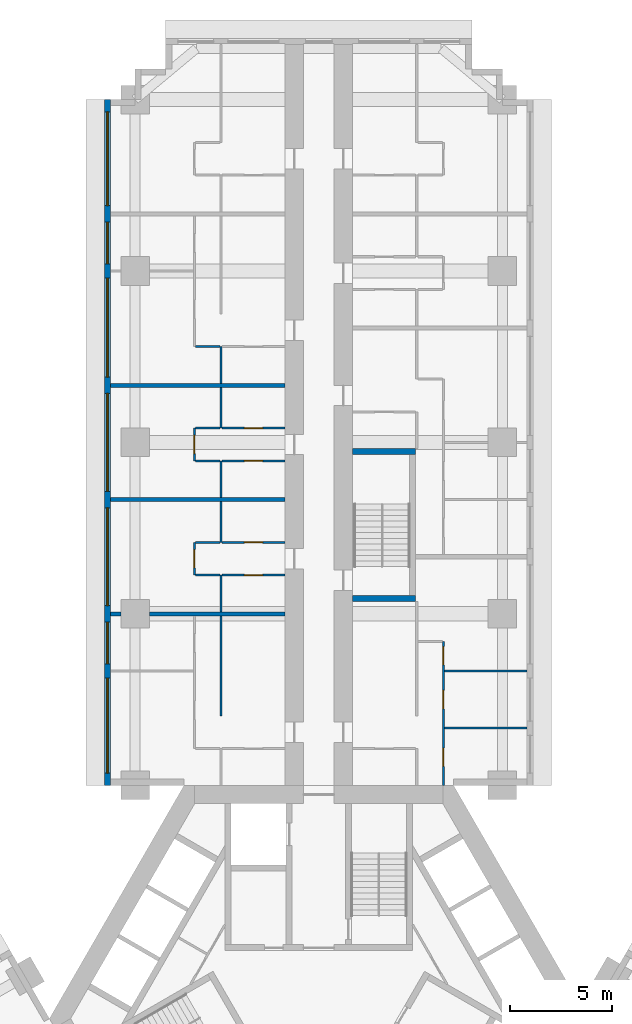
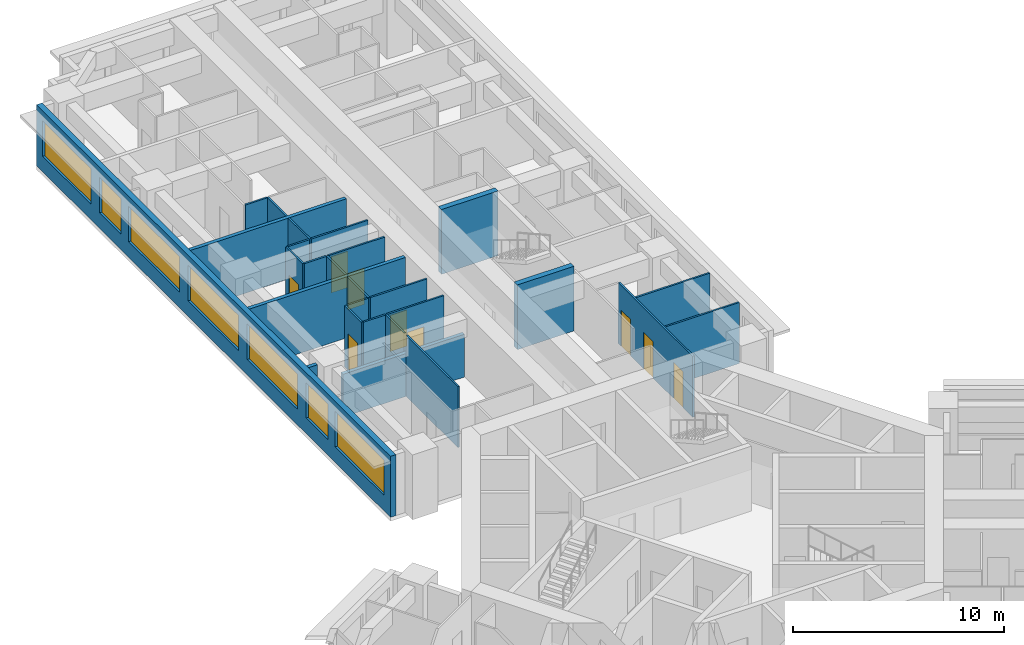
# One storey, part 9 of 16: 27 walls, 9 doors, 7 windows, 16 openings.
"""IFC4 building model written with IfcOpenShell, lengths in metres."""

from ifc_helpers import new_model, si_unit, direction, frame, frame_2d, origin, place, context, subcontext, project, spatial, rectangle, extrude, material, layer, layer_set, type_object, element, fill, save


model = new_model("IFC4")

# Units and contexts
model_context = context("Model", 3, precision=1e-05, world=origin(), true_north=direction((0.0, 1.0)))
body_context = subcontext(model_context, "Body", "Model", "MODEL_VIEW")
ifc_project = project(units=[si_unit("LENGTHUNIT", "METRE"), si_unit("AREAUNIT", "SQUARE_METRE"), si_unit("VOLUMEUNIT", "CUBIC_METRE"), si_unit("PLANEANGLEUNIT", "RADIAN"), si_unit("MASSUNIT", "GRAM", prefix="KILO")], contexts=[model_context])

# Site, building, storey
site_placement = place(None, origin())
site = spatial("IfcSite", under=ifc_project, at=site_placement, CompositionType="ELEMENT")
building_placement = place(site_placement, origin())
building = spatial("IfcBuilding", under=site, at=building_placement, Name="Impinga Residences", CompositionType="ELEMENT")
storey_placement = place(building_placement, frame((0.0, 0.0, 67.25)))
storey = spatial("IfcBuildingStorey", under=building, at=storey_placement, Name="L16", CompositionType="ELEMENT", Elevation=67.25)

# Wall, openings, windows
ifc_material_1 = material(Name="Terracotta rainscreen on blockwork", Category="masonry")
ifc_layer_1 = layer(ifc_material_1, 0.300048828125)
ifc_layer_set_1 = layer_set([ifc_layer_1], Name="EW1 external wall, terracotta rainscreen on blockwork 300")
wall_type_1 = type_object("IfcWallType", Name="EW1 external wall, terracotta rainscreen on blockwork 300", PredefinedType="SOLIDWALL", material=ifc_layer_set_1)
wall_1_placement = place(storey_placement, frame((-10.35009765625, 11.431640625, 0.0), z_axis=(0.0, 0.0, 1.0), x_axis=(0.0, 1.0, 0.0)))
wall_1 = element("IfcWall", 1, at=wall_1_placement, inside=storey, type_object=wall_type_1, Name="External wall EW1 L16", PredefinedType="SOLIDWALL", context=body_context, shape_type="SweptSolid", body=[
    extrude(rectangle(XDim=33.599853515625, YDim=0.300048828125, at=frame_2d((16.7998046875, 0.0))), origin(), (0.0, 0.0, 1.0), 3.530029296875),
])
opening_1_placement = place(wall_1_placement, frame((0.60009765625, 0.0, 0.89990234375)))
opening_1 = element("IfcOpeningElement", 2, at=opening_1_placement, cuts=wall_1, Name="Opening W10", PredefinedType="OPENING", context=body_context, shape_type="SweptSolid", body=[
    extrude(rectangle(XDim=4.64990234375, YDim=2.050048828125, at=frame_2d((2.324951171875, 1.02490234375))), frame((0.0, 0.159912109375, 0.0), z_axis=(0.0, -1.0, 0.0), x_axis=(1.0, 0.0, 0.0)), (0.0, 0.0, 1.0), 0.320068359375),
])
opening_2_placement = place(wall_1_placement, frame((5.949951171875, 0.0, 0.89990234375)))
opening_2 = element("IfcOpeningElement", 3, at=opening_2_placement, cuts=wall_1, Name="Opening W14", PredefinedType="OPENING", context=body_context, shape_type="SweptSolid", body=[
    extrude(rectangle(XDim=2.050048828125, YDim=2.050048828125, at=frame_2d((1.02490234375, 1.02490234375))), frame((0.0, 0.159912109375, 0.0), z_axis=(0.0, -1.0, 0.0), x_axis=(1.0, 0.0, 0.0)), (0.0, 0.0, 1.0), 0.320068359375),
])
opening_3_placement = place(wall_1_placement, frame((8.800048828125, 0.0, 0.89990234375)))
opening_3 = element("IfcOpeningElement", 4, at=opening_3_placement, cuts=wall_1, Name="Opening W8", PredefinedType="OPENING", context=body_context, shape_type="SweptSolid", body=[
    extrude(rectangle(XDim=4.800048828125, YDim=2.050048828125, at=frame_2d((2.39990234375, 1.02490234375))), frame((0.0, 0.159912109375, 0.0), z_axis=(0.0, -1.0, 0.0), x_axis=(1.0, 0.0, 0.0)), (0.0, 0.0, 1.0), 0.320068359375),
])
opening_4_placement = place(wall_1_placement, frame((14.39990234375, 0.0, 0.89990234375)))
opening_4 = element("IfcOpeningElement", 5, at=opening_4_placement, cuts=wall_1, Name="Opening W8", PredefinedType="OPENING", context=body_context, shape_type="SweptSolid", body=[
    extrude(rectangle(XDim=4.800048828125, YDim=2.050048828125, at=frame_2d((2.39990234375, 1.02490234375))), frame((0.0, 0.159912109375, 0.0), z_axis=(0.0, -1.0, 0.0), x_axis=(1.0, 0.0, 0.0)), (0.0, 0.0, 1.0), 0.320068359375),
])
opening_5_placement = place(wall_1_placement, frame((20.0, 0.0, 0.89990234375)))
opening_5 = element("IfcOpeningElement", 6, at=opening_5_placement, cuts=wall_1, Name="Opening W6", PredefinedType="OPENING", context=body_context, shape_type="SweptSolid", body=[
    extrude(rectangle(XDim=4.85009765625, YDim=2.050048828125, at=frame_2d((2.425048828125, 1.02490234375))), frame((0.0, 0.159912109375, 0.0), z_axis=(0.0, -1.0, 0.0), x_axis=(1.0, 0.0, 0.0)), (0.0, 0.0, 1.0), 0.320068359375),
])
opening_6_placement = place(wall_1_placement, frame((25.550048828125, 0.0, 0.89990234375)))
opening_6 = element("IfcOpeningElement", 7, at=opening_6_placement, cuts=wall_1, Name="Opening W14", PredefinedType="OPENING", context=body_context, shape_type="SweptSolid", body=[
    extrude(rectangle(XDim=2.050048828125, YDim=2.050048828125, at=frame_2d((1.02490234375, 1.02490234375))), frame((0.0, 0.159912109375, 0.0), z_axis=(0.0, -1.0, 0.0), x_axis=(1.0, 0.0, 0.0)), (0.0, 0.0, 1.0), 0.320068359375),
])
opening_7_placement = place(wall_1_placement, frame((28.39990234375, 0.0, 0.89990234375)))
opening_7 = element("IfcOpeningElement", 8, at=opening_7_placement, cuts=wall_1, Name="Opening W3", PredefinedType="OPENING", context=body_context, shape_type="SweptSolid", body=[
    extrude(rectangle(XDim=4.60009765625, YDim=2.050048828125, at=frame_2d((2.300048828125, 1.02490234375))), frame((0.0, 0.159912109375, 0.0), z_axis=(0.0, -1.0, 0.0), x_axis=(1.0, 0.0, 0.0)), (0.0, 0.0, 1.0), 0.320068359375),
])
ifc_material_2 = material(Name="Aluminium window, clear double glazing", Category="aluminium")
window_type_1 = type_object("IfcWindowType", Name="W10 ribbon window 4650x2050", PartitioningType="SINGLE_PANEL", PredefinedType="WINDOW", material=ifc_material_2)
window_1_placement = place(opening_1_placement, origin())
window_1 = element("IfcWindow", 9, at=window_1_placement, inside=storey, type_object=window_type_1, Name="Window L16", OverallHeight=2.050048828125, OverallWidth=4.64990234375, PartitioningType="SINGLE_PANEL", PredefinedType="WINDOW", context=body_context, shape_type="SweptSolid", body=[
    extrude(rectangle(XDim=4.64990234375, YDim=2.050048828125, at=frame_2d((2.324951171875, 1.02490234375))), frame((0.0, 0.030029296875, 0.0), z_axis=(0.0, -1.0, 0.0), x_axis=(1.0, 0.0, 0.0)), (0.0, 0.0, 1.0), 0.06005859375),
])
fill(opening_1, window_1)
window_type_2 = type_object("IfcWindowType", Name="W14 ribbon window 2050x2050", PartitioningType="SINGLE_PANEL", PredefinedType="WINDOW", material=ifc_material_2)
window_2_placement = place(opening_2_placement, origin())
window_2 = element("IfcWindow", 10, at=window_2_placement, inside=storey, type_object=window_type_2, Name="Window L16", OverallHeight=2.050048828125, OverallWidth=2.050048828125, PartitioningType="SINGLE_PANEL", PredefinedType="WINDOW", context=body_context, shape_type="SweptSolid", body=[
    extrude(rectangle(XDim=2.050048828125, YDim=2.050048828125, at=frame_2d((1.02490234375, 1.02490234375))), frame((0.0, 0.030029296875, 0.0), z_axis=(0.0, -1.0, 0.0), x_axis=(1.0, 0.0, 0.0)), (0.0, 0.0, 1.0), 0.06005859375),
])
fill(opening_2, window_2)
window_3_placement = place(opening_6_placement, origin())
window_3 = element("IfcWindow", 11, at=window_3_placement, inside=storey, type_object=window_type_2, Name="Window L16", OverallHeight=2.050048828125, OverallWidth=2.050048828125, PartitioningType="SINGLE_PANEL", PredefinedType="WINDOW", context=body_context, shape_type="SweptSolid", body=[
    extrude(rectangle(XDim=2.050048828125, YDim=2.050048828125, at=frame_2d((1.02490234375, 1.02490234375))), frame((0.0, 0.030029296875, 0.0), z_axis=(0.0, -1.0, 0.0), x_axis=(1.0, 0.0, 0.0)), (0.0, 0.0, 1.0), 0.06005859375),
])
fill(opening_6, window_3)
window_type_3 = type_object("IfcWindowType", Name="W3 ribbon window 4600x2050", PartitioningType="SINGLE_PANEL", PredefinedType="WINDOW", material=ifc_material_2)
window_4_placement = place(opening_7_placement, origin())
window_4 = element("IfcWindow", 12, at=window_4_placement, inside=storey, type_object=window_type_3, Name="Window L16", OverallHeight=2.050048828125, OverallWidth=4.60009765625, PartitioningType="SINGLE_PANEL", PredefinedType="WINDOW", context=body_context, shape_type="SweptSolid", body=[
    extrude(rectangle(XDim=4.60009765625, YDim=2.050048828125, at=frame_2d((2.300048828125, 1.02490234375))), frame((0.0, 0.030029296875, 0.0), z_axis=(0.0, -1.0, 0.0), x_axis=(1.0, 0.0, 0.0)), (0.0, 0.0, 1.0), 0.06005859375),
])
fill(opening_7, window_4)
window_type_4 = type_object("IfcWindowType", Name="W6 ribbon window 4850x2050", PartitioningType="SINGLE_PANEL", PredefinedType="WINDOW", material=ifc_material_2)
window_5_placement = place(opening_5_placement, origin())
window_5 = element("IfcWindow", 13, at=window_5_placement, inside=storey, type_object=window_type_4, Name="Window L16", OverallHeight=2.050048828125, OverallWidth=4.85009765625, PartitioningType="SINGLE_PANEL", PredefinedType="WINDOW", context=body_context, shape_type="SweptSolid", body=[
    extrude(rectangle(XDim=4.85009765625, YDim=2.050048828125, at=frame_2d((2.425048828125, 1.02490234375))), frame((0.0, 0.030029296875, 0.0), z_axis=(0.0, -1.0, 0.0), x_axis=(1.0, 0.0, 0.0)), (0.0, 0.0, 1.0), 0.06005859375),
])
fill(opening_5, window_5)
window_type_5 = type_object("IfcWindowType", Name="W8 ribbon window 4800x2050", PartitioningType="SINGLE_PANEL", PredefinedType="WINDOW", material=ifc_material_2)
window_6_placement = place(opening_3_placement, origin())
window_6 = element("IfcWindow", 14, at=window_6_placement, inside=storey, type_object=window_type_5, Name="Window L16", OverallHeight=2.050048828125, OverallWidth=4.800048828125, PartitioningType="SINGLE_PANEL", PredefinedType="WINDOW", context=body_context, shape_type="SweptSolid", body=[
    extrude(rectangle(XDim=4.800048828125, YDim=2.050048828125, at=frame_2d((2.39990234375, 1.02490234375))), frame((0.0, 0.030029296875, 0.0), z_axis=(0.0, -1.0, 0.0), x_axis=(1.0, 0.0, 0.0)), (0.0, 0.0, 1.0), 0.06005859375),
])
fill(opening_3, window_6)
window_7_placement = place(opening_4_placement, origin())
window_7 = element("IfcWindow", 15, at=window_7_placement, inside=storey, type_object=window_type_5, Name="Window L16", OverallHeight=2.050048828125, OverallWidth=4.800048828125, PartitioningType="SINGLE_PANEL", PredefinedType="WINDOW", context=body_context, shape_type="SweptSolid", body=[
    extrude(rectangle(XDim=4.800048828125, YDim=2.050048828125, at=frame_2d((2.39990234375, 1.02490234375))), frame((0.0, 0.030029296875, 0.0), z_axis=(0.0, -1.0, 0.0), x_axis=(1.0, 0.0, 0.0)), (0.0, 0.0, 1.0), 0.06005859375),
])
fill(opening_4, window_7)

# Walls
ifc_material_3 = material(Name="Gypsum board on steel studs", Category="steel")
ifc_layer_2 = layer(ifc_material_3, 0.10009765625)
ifc_layer_set_2 = layer_set([ifc_layer_2], Name="Gypsum board on steel studs")
wall_type_2 = type_object("IfcWallType", Name="IP1 partition 100", PredefinedType="PARTITIONING", material=ifc_layer_set_2)
wall_2_placement = place(storey_placement, frame((-4.800048828125, 14.83154296875, 0.0), z_axis=(0.0, 0.0, 1.0), x_axis=(0.0, 1.0, 0.0)))
element("IfcWall", 16, at=wall_2_placement, inside=storey, type_object=wall_type_2, Name="Partition L16-NA1:DIV1", PredefinedType="PARTITIONING", context=body_context, shape_type="SweptSolid", body=[
    extrude(rectangle(XDim=4.89990234375, YDim=0.10009765625, at=frame_2d((2.449951171875, 0.0))), origin(), (0.0, 0.0, 1.0), 3.530029296875),
])
wall_3_placement = place(storey_placement, frame((-4.800048828125, 19.931640625, 0.0), z_axis=(0.0, 0.0, 1.0), x_axis=(0.0, 1.0, 0.0)))
element("IfcWall", 17, at=wall_3_placement, inside=storey, type_object=wall_type_2, Name="Partition L16-NA2:DIV0", PredefinedType="PARTITIONING", context=body_context, shape_type="SweptSolid", body=[
    extrude(rectangle(XDim=1.7998046875, YDim=0.10009765625, at=frame_2d((0.89990234375, 0.0))), origin(), (0.0, 0.0, 1.0), 3.530029296875),
])
wall_4_placement = place(storey_placement, frame((-4.800048828125, 23.33154296875, 0.0), z_axis=(0.0, 0.0, 1.0), x_axis=(0.0, 1.0, 0.0)))
element("IfcWall", 18, at=wall_4_placement, inside=storey, type_object=wall_type_2, Name="Partition L16-NA2:DIV1", PredefinedType="PARTITIONING", context=body_context, shape_type="SweptSolid", body=[
    extrude(rectangle(XDim=2.0, YDim=0.10009765625, at=frame_2d((1.0, 0.0))), origin(), (0.0, 0.0, 1.0), 3.530029296875),
])

# Wall, opening, door
wall_5_placement = place(storey_placement, frame((-6.10009765625, 21.7314453125, 0.0), z_axis=(0.0, 0.0, 1.0), x_axis=(0.0, 1.0, 0.0)))
wall_5 = element("IfcWall", 19, at=wall_5_placement, inside=storey, type_object=wall_type_2, Name="Partition L16-NA2:STRIP", PredefinedType="PARTITIONING", context=body_context, shape_type="SweptSolid", body=[
    extrude(rectangle(XDim=1.60009765625, YDim=0.10009765625, at=frame_2d((0.800048828125, 0.0))), origin(), (0.0, 0.0, 1.0), 3.530029296875),
])
opening_8_placement = place(wall_5_placement, frame((0.35009765625, 0.0, 0.0)))
opening_8 = element("IfcOpeningElement", 20, at=opening_8_placement, cuts=wall_5, Name="Opening D2", PredefinedType="OPENING", context=body_context, shape_type="SweptSolid", body=[
    extrude(rectangle(XDim=0.89990234375, YDim=2.10009765625, at=frame_2d((0.449951171875, 1.050048828125))), frame((0.0, 0.06005859375, 0.0), z_axis=(0.0, -1.0, 0.0), x_axis=(1.0, 0.0, 0.0)), (0.0, 0.0, 1.0), 0.1201171875),
])
ifc_material_4 = material(Name="Timber door set", Category="wood")
door_type = type_object("IfcDoorType", Name="D2 internal door 900x2100", OperationType="SINGLE_SWING_LEFT", PredefinedType="DOOR", material=ifc_material_4)
door_1_placement = place(opening_8_placement, origin())
door_1 = element("IfcDoor", 21, at=door_1_placement, inside=storey, type_object=door_type, Name="Apartment L16-NA2 room door", OperationType="SINGLE_SWING_LEFT", OverallHeight=2.10009765625, OverallWidth=0.89990234375, PredefinedType="DOOR", context=body_context, shape_type="SweptSolid", body=[
    extrude(rectangle(XDim=0.89990234375, YDim=2.10009765625, at=frame_2d((0.449951171875, 1.050048828125))), frame((0.0, 0.02490234375, 0.0), z_axis=(0.0, -1.0, 0.0), x_axis=(1.0, 0.0, 0.0)), (0.0, 0.0, 1.0), 0.050048828125),
])
fill(opening_8, door_1)

# Walls
for number, where, z_axis, x_axis, name in (
    (22, (-4.85009765625, 21.7314453125, 0.0), (0.0, 0.0, 1.0), (-1.0, 0.0, 0.0), "Partition L16-NA2:SE0"),
    (23, (-4.85009765625, 23.33154296875, 0.0), (0.0, 0.0, 1.0), (-1.0, 0.0, 0.0), "Partition L16-NA2:SE1"),
):
    element("IfcWall", number, at=place(storey_placement, frame(where, z_axis=z_axis, x_axis=x_axis)), inside=storey, type_object=wall_type_2, Name=name, PredefinedType="PARTITIONING", context=body_context, shape_type="SweptSolid", body=[
        extrude(rectangle(XDim=1.199951171875, YDim=0.10009765625, at=frame_2d((0.60009765625, 0.0))), origin(), (0.0, 0.0, 1.0), 3.530029296875),
    ])

# Wall, opening, door
wall_6_placement = place(storey_placement, frame((-1.64990234375, 21.7314453125, 0.0), z_axis=(0.0, 0.0, 1.0), x_axis=(-1.0, 0.0, 0.0)))
wall_6 = element("IfcWall", 24, at=wall_6_placement, inside=storey, type_object=wall_type_2, Name="Partition L16-NA2:IB1", PredefinedType="PARTITIONING", context=body_context, shape_type="SweptSolid", body=[
    extrude(rectangle(XDim=3.10009765625, YDim=0.10009765625, at=frame_2d((1.550048828125, 0.0))), origin(), (0.0, 0.0, 1.0), 3.530029296875),
])
opening_9_placement = place(wall_6_placement, frame((1.10009765625, 0.0, 0.0)))
opening_9 = element("IfcOpeningElement", 25, at=opening_9_placement, cuts=wall_6, Name="Opening D2", PredefinedType="OPENING", context=body_context, shape_type="SweptSolid", body=[
    extrude(rectangle(XDim=0.89990234375, YDim=2.10009765625, at=frame_2d((0.449951171875, 1.050048828125))), frame((0.0, 0.06005859375, 0.0), z_axis=(0.0, -1.0, 0.0), x_axis=(1.0, 0.0, 0.0)), (0.0, 0.0, 1.0), 0.1201171875),
])
door_2_placement = place(opening_9_placement, origin())
door_2 = element("IfcDoor", 26, at=door_2_placement, inside=storey, type_object=door_type, Name="Apartment L16-NA2 bathroom door", OperationType="SINGLE_SWING_LEFT", OverallHeight=2.10009765625, OverallWidth=0.89990234375, PredefinedType="DOOR", context=body_context, shape_type="SweptSolid", body=[
    extrude(rectangle(XDim=0.89990234375, YDim=2.10009765625, at=frame_2d((0.449951171875, 1.050048828125))), frame((0.0, 0.02490234375, 0.0), z_axis=(0.0, -1.0, 0.0), x_axis=(1.0, 0.0, 0.0)), (0.0, 0.0, 1.0), 0.050048828125),
])
fill(opening_9, door_2)

wall_7_placement = place(storey_placement, frame((-1.64990234375, 23.33154296875, 0.0), z_axis=(0.0, 0.0, 1.0), x_axis=(-1.0, 0.0, 0.0)))
wall_7 = element("IfcWall", 27, at=wall_7_placement, inside=storey, type_object=wall_type_2, Name="Partition L16-NA2:IB2", PredefinedType="PARTITIONING", context=body_context, shape_type="SweptSolid", body=[
    extrude(rectangle(XDim=3.10009765625, YDim=0.10009765625, at=frame_2d((1.550048828125, 0.0))), origin(), (0.0, 0.0, 1.0), 3.530029296875),
])
opening_10_placement = place(wall_7_placement, frame((1.10009765625, 0.0, 0.0)))
opening_10 = element("IfcOpeningElement", 28, at=opening_10_placement, cuts=wall_7, Name="Opening D2", PredefinedType="OPENING", context=body_context, shape_type="SweptSolid", body=[
    extrude(rectangle(XDim=0.89990234375, YDim=2.10009765625, at=frame_2d((0.449951171875, 1.050048828125))), frame((0.0, 0.06005859375, 0.0), z_axis=(0.0, -1.0, 0.0), x_axis=(1.0, 0.0, 0.0)), (0.0, 0.0, 1.0), 0.1201171875),
])
door_3_placement = place(opening_10_placement, origin())
door_3 = element("IfcDoor", 29, at=door_3_placement, inside=storey, type_object=door_type, Name="Apartment L16-NA2 WC door", OperationType="SINGLE_SWING_LEFT", OverallHeight=2.10009765625, OverallWidth=0.89990234375, PredefinedType="DOOR", context=body_context, shape_type="SweptSolid", body=[
    extrude(rectangle(XDim=0.89990234375, YDim=2.10009765625, at=frame_2d((0.449951171875, 1.050048828125))), frame((0.0, 0.02490234375, 0.0), z_axis=(0.0, -1.0, 0.0), x_axis=(1.0, 0.0, 0.0)), (0.0, 0.0, 1.0), 0.050048828125),
])
fill(opening_10, door_3)

# Walls
wall_8_placement = place(storey_placement, frame((-4.800048828125, 25.531494140625, 0.0), z_axis=(0.0, 0.0, 1.0), x_axis=(0.0, 1.0, 0.0)))
element("IfcWall", 30, at=wall_8_placement, inside=storey, type_object=wall_type_2, Name="Partition L16-NA3:DIV0", PredefinedType="PARTITIONING", context=body_context, shape_type="SweptSolid", body=[
    extrude(rectangle(XDim=1.800048828125, YDim=0.10009765625, at=frame_2d((0.89990234375, 0.0))), origin(), (0.0, 0.0, 1.0), 3.530029296875),
])
wall_9_placement = place(storey_placement, frame((-4.800048828125, 28.931640625, 0.0), z_axis=(0.0, 0.0, 1.0), x_axis=(0.0, 1.0, 0.0)))
element("IfcWall", 31, at=wall_9_placement, inside=storey, type_object=wall_type_2, Name="Partition L16-NA3:DIV1", PredefinedType="PARTITIONING", context=body_context, shape_type="SweptSolid", body=[
    extrude(rectangle(XDim=2.0, YDim=0.10009765625, at=frame_2d((1.0, 0.0))), origin(), (0.0, 0.0, 1.0), 3.530029296875),
])

# Wall, opening, door
wall_10_placement = place(storey_placement, frame((-6.10009765625, 27.33154296875, 0.0), z_axis=(0.0, 0.0, 1.0), x_axis=(0.0, 1.0, 0.0)))
wall_10 = element("IfcWall", 32, at=wall_10_placement, inside=storey, type_object=wall_type_2, Name="Partition L16-NA3:STRIP", PredefinedType="PARTITIONING", context=body_context, shape_type="SweptSolid", body=[
    extrude(rectangle(XDim=1.60009765625, YDim=0.10009765625, at=frame_2d((0.800048828125, 0.0))), origin(), (0.0, 0.0, 1.0), 3.530029296875),
])
opening_11_placement = place(wall_10_placement, frame((0.35009765625, 0.0, 0.0)))
opening_11 = element("IfcOpeningElement", 33, at=opening_11_placement, cuts=wall_10, Name="Opening D2", PredefinedType="OPENING", context=body_context, shape_type="SweptSolid", body=[
    extrude(rectangle(XDim=0.89990234375, YDim=2.10009765625, at=frame_2d((0.449951171875, 1.050048828125))), frame((0.0, 0.06005859375, 0.0), z_axis=(0.0, -1.0, 0.0), x_axis=(1.0, 0.0, 0.0)), (0.0, 0.0, 1.0), 0.1201171875),
])
door_4_placement = place(opening_11_placement, origin())
door_4 = element("IfcDoor", 34, at=door_4_placement, inside=storey, type_object=door_type, Name="Apartment L16-NA3 room door", OperationType="SINGLE_SWING_LEFT", OverallHeight=2.10009765625, OverallWidth=0.89990234375, PredefinedType="DOOR", context=body_context, shape_type="SweptSolid", body=[
    extrude(rectangle(XDim=0.89990234375, YDim=2.10009765625, at=frame_2d((0.449951171875, 1.050048828125))), frame((0.0, 0.02490234375, 0.0), z_axis=(0.0, -1.0, 0.0), x_axis=(1.0, 0.0, 0.0)), (0.0, 0.0, 1.0), 0.050048828125),
])
fill(opening_11, door_4)

# Walls
for number, where, z_axis, x_axis, name in (
    (35, (-4.85009765625, 27.33154296875, 0.0), (0.0, 0.0, 1.0), (-1.0, 0.0, 0.0), "Partition L16-NA3:SE0"),
    (36, (-4.85009765625, 28.931640625, 0.0), (0.0, 0.0, 1.0), (-1.0, 0.0, 0.0), "Partition L16-NA3:SE1"),
):
    element("IfcWall", number, at=place(storey_placement, frame(where, z_axis=z_axis, x_axis=x_axis)), inside=storey, type_object=wall_type_2, Name=name, PredefinedType="PARTITIONING", context=body_context, shape_type="SweptSolid", body=[
        extrude(rectangle(XDim=1.199951171875, YDim=0.10009765625, at=frame_2d((0.60009765625, 0.0))), origin(), (0.0, 0.0, 1.0), 3.530029296875),
    ])

# Wall, opening, door
wall_11_placement = place(storey_placement, frame((-1.64990234375, 27.33154296875, 0.0), z_axis=(0.0, 0.0, 1.0), x_axis=(-1.0, 0.0, 0.0)))
wall_11 = element("IfcWall", 37, at=wall_11_placement, inside=storey, type_object=wall_type_2, Name="Partition L16-NA3:IB1", PredefinedType="PARTITIONING", context=body_context, shape_type="SweptSolid", body=[
    extrude(rectangle(XDim=3.10009765625, YDim=0.10009765625, at=frame_2d((1.550048828125, 0.0))), origin(), (0.0, 0.0, 1.0), 3.530029296875),
])
opening_12_placement = place(wall_11_placement, frame((1.10009765625, 0.0, 0.0)))
opening_12 = element("IfcOpeningElement", 38, at=opening_12_placement, cuts=wall_11, Name="Opening D2", PredefinedType="OPENING", context=body_context, shape_type="SweptSolid", body=[
    extrude(rectangle(XDim=0.89990234375, YDim=2.10009765625, at=frame_2d((0.449951171875, 1.050048828125))), frame((0.0, 0.06005859375, 0.0), z_axis=(0.0, -1.0, 0.0), x_axis=(1.0, 0.0, 0.0)), (0.0, 0.0, 1.0), 0.1201171875),
])
door_5_placement = place(opening_12_placement, origin())
door_5 = element("IfcDoor", 39, at=door_5_placement, inside=storey, type_object=door_type, Name="Apartment L16-NA3 bathroom door", OperationType="SINGLE_SWING_LEFT", OverallHeight=2.10009765625, OverallWidth=0.89990234375, PredefinedType="DOOR", context=body_context, shape_type="SweptSolid", body=[
    extrude(rectangle(XDim=0.89990234375, YDim=2.10009765625, at=frame_2d((0.449951171875, 1.050048828125))), frame((0.0, 0.02490234375, 0.0), z_axis=(0.0, -1.0, 0.0), x_axis=(1.0, 0.0, 0.0)), (0.0, 0.0, 1.0), 0.050048828125),
])
fill(opening_12, door_5)

wall_12_placement = place(storey_placement, frame((-1.64990234375, 28.931640625, 0.0), z_axis=(0.0, 0.0, 1.0), x_axis=(-1.0, 0.0, 0.0)))
wall_12 = element("IfcWall", 40, at=wall_12_placement, inside=storey, type_object=wall_type_2, Name="Partition L16-NA3:IB2", PredefinedType="PARTITIONING", context=body_context, shape_type="SweptSolid", body=[
    extrude(rectangle(XDim=3.10009765625, YDim=0.10009765625, at=frame_2d((1.550048828125, 0.0))), origin(), (0.0, 0.0, 1.0), 3.530029296875),
])
opening_13_placement = place(wall_12_placement, frame((1.10009765625, 0.0, 0.0)))
opening_13 = element("IfcOpeningElement", 41, at=opening_13_placement, cuts=wall_12, Name="Opening D2", PredefinedType="OPENING", context=body_context, shape_type="SweptSolid", body=[
    extrude(rectangle(XDim=0.89990234375, YDim=2.10009765625, at=frame_2d((0.449951171875, 1.050048828125))), frame((0.0, 0.06005859375, 0.0), z_axis=(0.0, -1.0, 0.0), x_axis=(1.0, 0.0, 0.0)), (0.0, 0.0, 1.0), 0.1201171875),
])
door_6_placement = place(opening_13_placement, origin())
door_6 = element("IfcDoor", 42, at=door_6_placement, inside=storey, type_object=door_type, Name="Apartment L16-NA3 WC door", OperationType="SINGLE_SWING_LEFT", OverallHeight=2.10009765625, OverallWidth=0.89990234375, PredefinedType="DOOR", context=body_context, shape_type="SweptSolid", body=[
    extrude(rectangle(XDim=0.89990234375, YDim=2.10009765625, at=frame_2d((0.449951171875, 1.050048828125))), frame((0.0, 0.02490234375, 0.0), z_axis=(0.0, -1.0, 0.0), x_axis=(1.0, 0.0, 0.0)), (0.0, 0.0, 1.0), 0.050048828125),
])
fill(opening_13, door_6)

# Walls
wall_13_placement = place(storey_placement, frame((-4.800048828125, 31.131591796875, 0.0), z_axis=(0.0, 0.0, 1.0), x_axis=(0.0, 1.0, 0.0)))
element("IfcWall", 43, at=wall_13_placement, inside=storey, type_object=wall_type_2, Name="Partition L16-NA4:DIV0", PredefinedType="PARTITIONING", context=body_context, shape_type="SweptSolid", body=[
    extrude(rectangle(XDim=1.800048828125, YDim=0.10009765625, at=frame_2d((0.89990234375, 0.0))), origin(), (0.0, 0.0, 1.0), 3.530029296875),
])
wall_14_placement = place(storey_placement, frame((-4.85009765625, 32.931640625, 0.0), z_axis=(0.0, 0.0, 1.0), x_axis=(-1.0, 0.0, 0.0)))
element("IfcWall", 44, at=wall_14_placement, inside=storey, type_object=wall_type_2, Name="Partition L16-NA4:SE0", PredefinedType="PARTITIONING", context=body_context, shape_type="SweptSolid", body=[
    extrude(rectangle(XDim=1.199951171875, YDim=0.10009765625, at=frame_2d((0.60009765625, 0.0))), origin(), (0.0, 0.0, 1.0), 3.530029296875),
])

# Wall, openings, doors
wall_15_placement = place(storey_placement, frame((6.10009765625, 11.431640625, 0.0), z_axis=(0.0, 0.0, 1.0), x_axis=(0.0, 1.0, 0.0)))
wall_15 = element("IfcWall", 45, at=wall_15_placement, inside=storey, type_object=wall_type_2, Name="Partition L16-NF1:STRIP", PredefinedType="PARTITIONING", context=body_context, shape_type="SweptSolid", body=[
    extrude(rectangle(XDim=7.0498046875, YDim=0.10009765625, at=frame_2d((3.52490234375, 0.0))), origin(), (0.0, 0.0, 1.0), 3.530029296875),
])
opening_14_placement = place(wall_15_placement, frame((0.925048828125, 0.0, 0.0)))
opening_14 = element("IfcOpeningElement", 46, at=opening_14_placement, cuts=wall_15, Name="Opening D2", PredefinedType="OPENING", context=body_context, shape_type="SweptSolid", body=[
    extrude(rectangle(XDim=0.89990234375, YDim=2.10009765625, at=frame_2d((0.449951171875, 1.050048828125))), frame((0.0, 0.06005859375, 0.0), z_axis=(0.0, -1.0, 0.0), x_axis=(1.0, 0.0, 0.0)), (0.0, 0.0, 1.0), 0.1201171875),
])
opening_15_placement = place(wall_15_placement, frame((3.75, 0.0, 0.0)))
opening_15 = element("IfcOpeningElement", 47, at=opening_15_placement, cuts=wall_15, Name="Opening D2", PredefinedType="OPENING", context=body_context, shape_type="SweptSolid", body=[
    extrude(rectangle(XDim=0.89990234375, YDim=2.10009765625, at=frame_2d((0.449951171875, 1.050048828125))), frame((0.0, 0.06005859375, 0.0), z_axis=(0.0, -1.0, 0.0), x_axis=(1.0, 0.0, 0.0)), (0.0, 0.0, 1.0), 0.1201171875),
])
opening_16_placement = place(wall_15_placement, frame((5.89990234375, 0.0, 0.0)))
opening_16 = element("IfcOpeningElement", 48, at=opening_16_placement, cuts=wall_15, Name="Opening D2", PredefinedType="OPENING", context=body_context, shape_type="SweptSolid", body=[
    extrude(rectangle(XDim=0.89990234375, YDim=2.10009765625, at=frame_2d((0.449951171875, 1.050048828125))), frame((0.0, 0.06005859375, 0.0), z_axis=(0.0, -1.0, 0.0), x_axis=(1.0, 0.0, 0.0)), (0.0, 0.0, 1.0), 0.1201171875),
])
door_7_placement = place(opening_14_placement, origin())
door_7 = element("IfcDoor", 49, at=door_7_placement, inside=storey, type_object=door_type, Name="Apartment L16-NF1 room door", OperationType="SINGLE_SWING_LEFT", OverallHeight=2.10009765625, OverallWidth=0.89990234375, PredefinedType="DOOR", context=body_context, shape_type="SweptSolid", body=[
    extrude(rectangle(XDim=0.89990234375, YDim=2.10009765625, at=frame_2d((0.449951171875, 1.050048828125))), frame((0.0, 0.02490234375, 0.0), z_axis=(0.0, -1.0, 0.0), x_axis=(1.0, 0.0, 0.0)), (0.0, 0.0, 1.0), 0.050048828125),
])
fill(opening_14, door_7)
door_8_placement = place(opening_15_placement, origin())
door_8 = element("IfcDoor", 50, at=door_8_placement, inside=storey, type_object=door_type, Name="Apartment L16-NF1 room door", OperationType="SINGLE_SWING_RIGHT", OverallHeight=2.10009765625, OverallWidth=0.89990234375, PredefinedType="DOOR", context=body_context, shape_type="SweptSolid", body=[
    extrude(rectangle(XDim=0.89990234375, YDim=2.10009765625, at=frame_2d((0.449951171875, 1.050048828125))), frame((0.0, 0.02490234375, 0.0), z_axis=(0.0, -1.0, 0.0), x_axis=(1.0, 0.0, 0.0)), (0.0, 0.0, 1.0), 0.050048828125),
])
fill(opening_15, door_8)
door_9_placement = place(opening_16_placement, origin())
door_9 = element("IfcDoor", 51, at=door_9_placement, inside=storey, type_object=door_type, Name="Apartment L16-NF1 room door", OperationType="SINGLE_SWING_RIGHT", OverallHeight=2.10009765625, OverallWidth=0.89990234375, PredefinedType="DOOR", context=body_context, shape_type="SweptSolid", body=[
    extrude(rectangle(XDim=0.89990234375, YDim=2.10009765625, at=frame_2d((0.449951171875, 1.050048828125))), frame((0.0, 0.02490234375, 0.0), z_axis=(0.0, -1.0, 0.0), x_axis=(1.0, 0.0, 0.0)), (0.0, 0.0, 1.0), 0.050048828125),
])
fill(opening_16, door_9)

# Walls
for number, where, z_axis, x_axis, name in (
    (52, (6.14990234375, 14.2314453125, 0.0), (0.0, 0.0, 1.0), (1.0, 0.0, 0.0), "Partition L16-NF1:OB1"),
    (53, (6.14990234375, 17.031494140625, 0.0), (0.0, 0.0, 1.0), (1.0, 0.0, 0.0), "Partition L16-NF1:OB2"),
):
    element("IfcWall", number, at=place(storey_placement, frame(where, z_axis=z_axis, x_axis=x_axis)), inside=storey, type_object=wall_type_2, Name=name, PredefinedType="PARTITIONING", context=body_context, shape_type="SweptSolid", body=[
        extrude(rectangle(XDim=4.050048828125, YDim=0.10009765625, at=frame_2d((2.02490234375, 0.0))), origin(), (0.0, 0.0, 1.0), 3.530029296875),
    ])
ifc_material_5 = material(Name="Concrete blockwork", Category="masonry")
ifc_layer_3 = layer(ifc_material_5, 0.199951171875)
ifc_layer_set_3 = layer_set([ifc_layer_3], Name="PW1 party wall between apartments 200")
wall_type_3 = type_object("IfcWallType", Name="PW1 party wall between apartments 200", PredefinedType="SOLIDWALL", material=ifc_layer_set_3)
wall_16_placement = place(storey_placement, frame((-1.64990234375, 19.83154296875, 0.0), z_axis=(0.0, 0.0, 1.0), x_axis=(-1.0, 0.0, 0.0)))
element("IfcWall", 54, at=wall_16_placement, inside=storey, type_object=wall_type_3, Name="Party wall between apartments L16-NA1:PARTY", PredefinedType="SOLIDWALL", context=body_context, shape_type="SweptSolid", body=[
    extrude(rectangle(XDim=6.650146484375, YDim=0.199951171875, at=frame_2d((3.3251953125, 0.0))), origin(), (0.0, 0.0, 1.0), 2.47998046875),
])
wall_17_placement = place(storey_placement, frame((-9.699951171875, 19.83154296875, 0.0), z_axis=(0.0, 0.0, 1.0), x_axis=(-1.0, 0.0, 0.0)))
element("IfcWall", 55, at=wall_17_placement, inside=storey, type_object=wall_type_3, Name="Party wall between apartments L16-NA1:PARTYb", PredefinedType="SOLIDWALL", context=body_context, shape_type="SweptSolid", body=[
    extrude(rectangle(XDim=0.5, YDim=0.199951171875, at=frame_2d((0.25, 0.0))), origin(), (0.0, 0.0, 1.0), 3.530029296875),
])
for number, where, z_axis, x_axis, name in (
    (56, (-1.64990234375, 25.431640625, 0.0), (0.0, 0.0, 1.0), (-1.0, 0.0, 0.0), "Party wall between apartments L16-NA2:PARTY"),
    (57, (-1.64990234375, 31.031494140625, 0.0), (0.0, 0.0, 1.0), (-1.0, 0.0, 0.0), "Party wall between apartments L16-NA3:PARTY"),
):
    element("IfcWall", number, at=place(storey_placement, frame(where, z_axis=z_axis, x_axis=x_axis)), inside=storey, type_object=wall_type_3, Name=name, PredefinedType="SOLIDWALL", context=body_context, shape_type="SweptSolid", body=[
        extrude(rectangle(XDim=8.550048828125, YDim=0.199951171875, at=frame_2d((4.27490234375, 0.0))), origin(), (0.0, 0.0, 1.0), 3.530029296875),
    ])
ifc_material_6 = material(Name="Concrete C60/75", Category="concrete")
ifc_layer_4 = layer(ifc_material_6, 0.300048828125)
ifc_layer_set_4 = layer_set([ifc_layer_4], Name="Concrete C60/75")
wall_type_4 = type_object("IfcWallType", Name="SE1 wing stair enclosure wall 300", PredefinedType="SOLIDWALL", material=ifc_layer_set_4)
for number, where, z_axis, x_axis, name in (
    (58, (1.64990234375, 20.58154296875, 0.0), (0.0, 0.0, 1.0), (1.0, 0.0, 0.0), "Stair enclosure wall SE1 N END0 L16"),
    (59, (1.64990234375, 27.781494140625, 0.0), (0.0, 0.0, 1.0), (1.0, 0.0, 0.0), "Stair enclosure wall SE1 N END1 L16"),
):
    element("IfcWall", number, at=place(storey_placement, frame(where, z_axis=z_axis, x_axis=x_axis)), inside=storey, type_object=wall_type_4, Name=name, PredefinedType="SOLIDWALL", context=body_context, shape_type="SweptSolid", body=[
        extrude(rectangle(XDim=3.10009765625, YDim=0.300048828125, at=frame_2d((1.550048828125, 0.0))), origin(), (0.0, 0.0, 1.0), 3.75),
    ])

save(model, "model.ifc")
